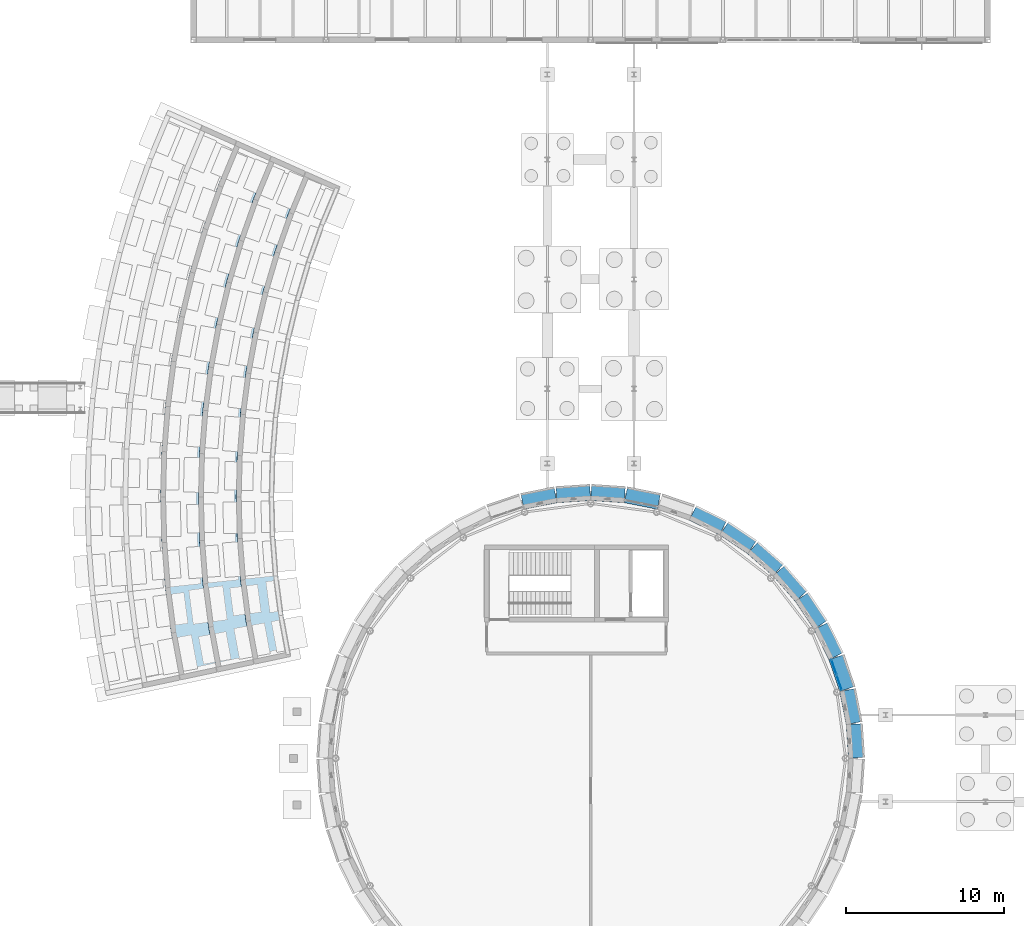
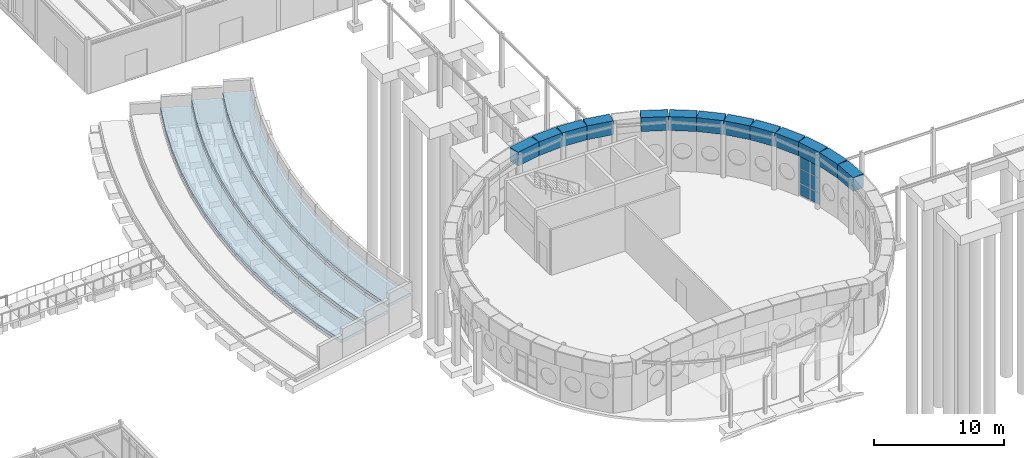
# One storey, part 75 of 109: 19 plates, 3 slabs, 1 element without a shape of its own.
"""IFC4 building model written with IfcOpenShell, lengths in metres."""

from ifc_helpers import new_model, si_unit, direction, frame, origin, origin_2d, place, context, subcontext, project, spatial, polyline, rectangle, outline, extrude, material, layer, layer_set, type_object, element, aggregate, save


model = new_model("IFC4")

# Units and contexts
model_context = context("Model", 3, precision=1e-05, world=origin(), true_north=direction((0.0, 1.0)))
body_context = subcontext(model_context, "Body", "Model", "MODEL_VIEW")
ifc_project = project(units=[si_unit("LENGTHUNIT", "METRE"), si_unit("AREAUNIT", "SQUARE_METRE"), si_unit("VOLUMEUNIT", "CUBIC_METRE"), si_unit("PLANEANGLEUNIT", "RADIAN"), si_unit("MASSUNIT", "GRAM", prefix="KILO")], contexts=[model_context])

# Site, building, storey
site_placement = place(None, origin())
site = spatial("IfcSite", under=ifc_project, at=site_placement, CompositionType="ELEMENT")
building_placement = place(site_placement, origin())
building = spatial("IfcBuilding", under=site, at=building_placement, Name="Montecoro Central Library", CompositionType="ELEMENT")
storey_placement = place(building_placement, origin())
storey = spatial("IfcBuildingStorey", under=building, at=storey_placement, Name="L00", CompositionType="ELEMENT", Elevation=0.0)

# Curtain wall, plates
ifc_material_1 = material(Name="Bronze-anodised aluminium and low-E glazing", Category="aluminium")
ifc_layer_1 = layer(ifc_material_1, 0.159912109375)
ifc_layer_set_1 = layer_set([ifc_layer_1], Name="Bronze-anodised aluminium and low-E glazing")
curtain_wall_type = type_object("IfcCurtainWallType", Name="CWT-001", PredefinedType="NOTDEFINED", material=ifc_layer_set_1)
curtain_wall_placement = place(storey_placement, origin())
curtain_wall = element("IfcCurtainWall", 1, at=curtain_wall_placement, inside=storey, type_object=curtain_wall_type, Name="V1-L00-CW-03", PredefinedType="NOTDEFINED")
ifc_material_2 = material(Name="Laminated low-E double glazing", Category="glass")
ifc_layer_2 = layer(ifc_material_2, 0.02587890625)
ifc_layer_set_2 = layer_set([ifc_layer_2], Name="Laminated low-E double glazing")
plate_type_1 = type_object("IfcPlateType", Name="CWP-GLZ-01", PredefinedType="CURTAIN_PANEL", material=ifc_layer_set_2)
plate_1_placement = place(storey_placement, frame((107.376953125, 40.205810546875, 0.06005859375), z_axis=(0.0, 0.0, 1.0), x_axis=(-0.32140092272, 0.946943212064, 0.0)))
plate_1 = element("IfcPlate", 2, at=plate_1_placement, type_object=plate_type_1, Name="CW-001 panel 1.1", PredefinedType="CURTAIN_PANEL", context=body_context, shape_type="SweptSolid", body=[
    extrude(rectangle(XDim=0.98193359375, YDim=0.02587890625, at=origin_2d()), origin(), (0.0, 0.0, 1.0), 1.06005859375),
])
plate_2_placement = place(storey_placement, frame((107.376953125, 40.205810546875, 1.18017578125), z_axis=(0.0, 0.0, 1.0), x_axis=(-0.32140092272, 0.946943212064, 0.0)))
plate_2 = element("IfcPlate", 3, at=plate_2_placement, type_object=plate_type_1, Name="CW-001 panel 1.2", PredefinedType="CURTAIN_PANEL", context=body_context, shape_type="SweptSolid", body=[
    extrude(rectangle(XDim=0.98193359375, YDim=0.02587890625, at=origin_2d()), origin(), (0.0, 0.0, 1.0), 1.340087890625),
])
plate_3_placement = place(storey_placement, frame((107.376953125, 40.205810546875, 2.580078125), z_axis=(0.0, 0.0, 1.0), x_axis=(-0.32140092272, 0.946943212064, 0.0)))
plate_3 = element("IfcPlate", 4, at=plate_3_placement, type_object=plate_type_1, Name="CW-001 panel 1.3", PredefinedType="CURTAIN_PANEL", context=body_context, shape_type="SweptSolid", body=[
    extrude(rectangle(XDim=0.98193359375, YDim=0.02587890625, at=origin_2d()), origin(), (0.0, 0.0, 1.0), 1.179931640625),
])
plate_4_placement = place(storey_placement, frame((107.0419921875, 41.1923828125, 0.06005859375), z_axis=(0.0, 0.0, 1.0), x_axis=(-0.32140092272, 0.946943212064, 0.0)))
plate_4 = element("IfcPlate", 5, at=plate_4_placement, type_object=plate_type_1, Name="CW-001 panel 2.1", PredefinedType="CURTAIN_PANEL", context=body_context, shape_type="SweptSolid", body=[
    extrude(rectangle(XDim=0.98193359375, YDim=0.02587890625, at=origin_2d()), origin(), (0.0, 0.0, 1.0), 1.06005859375),
])
plate_5_placement = place(storey_placement, frame((107.0419921875, 41.1923828125, 1.18017578125), z_axis=(0.0, 0.0, 1.0), x_axis=(-0.32140092272, 0.946943212064, 0.0)))
plate_5 = element("IfcPlate", 6, at=plate_5_placement, type_object=plate_type_1, Name="CW-001 panel 2.2", PredefinedType="CURTAIN_PANEL", context=body_context, shape_type="SweptSolid", body=[
    extrude(rectangle(XDim=0.98193359375, YDim=0.02587890625, at=origin_2d()), origin(), (0.0, 0.0, 1.0), 1.340087890625),
])
plate_6_placement = place(storey_placement, frame((107.0419921875, 41.1923828125, 2.580078125), z_axis=(0.0, 0.0, 1.0), x_axis=(-0.32140092272, 0.946943212064, 0.0)))
plate_6 = element("IfcPlate", 7, at=plate_6_placement, type_object=plate_type_1, Name="CW-001 panel 2.3", PredefinedType="CURTAIN_PANEL", context=body_context, shape_type="SweptSolid", body=[
    extrude(rectangle(XDim=0.98193359375, YDim=0.02587890625, at=origin_2d()), origin(), (0.0, 0.0, 1.0), 1.179931640625),
])
aggregate(curtain_wall, [plate_1, plate_2, plate_3, plate_4, plate_5, plate_6])

# Plates
ifc_material_3 = material(Name="Bright white Roman travertine architrave stone", Category="masonry")
ifc_layer_3 = layer(ifc_material_3, 0.949951171875)
ifc_layer_set_3 = layer_set([ifc_layer_3], Name="Bright white Roman travertine architrave stone")
plate_type_2 = type_object("IfcPlateType", Name="PLT-SPN-07", PredefinedType="SHEET", material=ifc_layer_set_3)
for number, where, z_axis, x_axis, name in (
    (8, (108.367919921875, 36.4990234375, 3.7998046875), (0.0, 0.0, 1.0), (-0.06540312923, 0.997858923239, 0.0), "White Travertine Curved Entrance Architrave Band"),
    (9, (108.0810546875, 38.677978515625, 3.7998046875), (0.0, 0.0, 1.0), (-0.195090322016, 0.980785280403, 0.0), "White Travertine Curved Entrance Architrave Band"),
):
    element("IfcPlate", number, at=place(storey_placement, frame(where, z_axis=z_axis, x_axis=x_axis)), inside=storey, type_object=plate_type_2, Name=name, PredefinedType="SHEET", context=body_context, shape_type="SweptSolid", body=[
        extrude(rectangle(XDim=2.14306640625, YDim=0.949951171875, at=origin_2d()), origin(), (0.0, 0.0, 1.0), 1.300048828125),
    ])
plate_7_placement = place(storey_placement, frame((107.511962890625, 40.802001953125, 3.7998046875), z_axis=(0.0, 0.0, 1.0), x_axis=(-0.321604730892, 0.946874013303, 0.0)))
element("IfcPlate", 10, at=plate_7_placement, inside=storey, type_object=plate_type_2, Name="White Travertine Curved Entrance Architrave Band", PredefinedType="SHEET", context=body_context, shape_type="SweptSolid", body=[
    extrude(rectangle(XDim=2.14208984375, YDim=0.949951171875, at=origin_2d()), origin(), (0.0, 0.0, 1.0), 1.300048828125),
])
for number, where, z_axis, x_axis, name in (
    (11, (106.6708984375, 42.83203125, 3.7998046875), (0.0, 0.0, 1.0), (-0.44213214966, 0.896949921811, 0.0), "White Travertine Curved Entrance Architrave Band"),
    (12, (105.572021484375, 44.736083984375, 3.7998046875), (0.0, 0.0, 1.0), (-0.55557023302, 0.831469612303, 0.0), "White Travertine Curved Entrance Architrave Band"),
):
    element("IfcPlate", number, at=place(storey_placement, frame(where, z_axis=z_axis, x_axis=x_axis)), inside=storey, type_object=plate_type_2, Name=name, PredefinedType="SHEET", context=body_context, shape_type="SweptSolid", body=[
        extrude(rectangle(XDim=2.14306640625, YDim=0.949951171875, at=origin_2d()), origin(), (0.0, 0.0, 1.0), 1.300048828125),
    ])
for number, where, z_axis, x_axis, name in (
    (13, (104.23388671875, 46.47998046875, 3.7998046875), (0.0, 0.0, 1.0), (-0.659214584257, 0.751954873581, 0.0), "White Travertine Curved Entrance Architrave Band"),
    (14, (102.679931640625, 48.033935546875, 3.7998046875), (0.0, 0.0, 1.0), (-0.751954873581, 0.659214584257, 0.0), "White Travertine Curved Entrance Architrave Band"),
):
    element("IfcPlate", number, at=place(storey_placement, frame(where, z_axis=z_axis, x_axis=x_axis)), inside=storey, type_object=plate_type_2, Name=name, PredefinedType="SHEET", context=body_context, shape_type="SweptSolid", body=[
        extrude(rectangle(XDim=2.14208984375, YDim=0.949951171875, at=origin_2d()), origin(), (0.0, 0.0, 1.0), 1.300048828125),
    ])
for number, where, z_axis, x_axis, name in (
    (15, (100.93603515625, 49.3720703125, 3.7998046875), (0.0, 0.0, 1.0), (-0.831469612303, 0.55557023302, 0.0), "White Travertine Curved Entrance Architrave Band"),
    (16, (99.031982421875, 50.470947265625, 3.7998046875), (0.0, 0.0, 1.0), (-0.896949921811, 0.44213214966, 0.0), "White Travertine Curved Entrance Architrave Band"),
    (17, (94.87890625, 51.881103515625, 3.7998046875), (0.0, 0.0, 1.0), (-0.980785280403, 0.195090322016, 0.0), "White Travertine Curved Entrance Architrave Band"),
    (18, (92.698974609375, 52.16796875, 3.7998046875), (0.0, 0.0, 1.0), (-0.997858923239, 0.06540312923, 0.0), "White Travertine Curved Entrance Architrave Band"),
    (19, (90.5009765625, 52.16796875, 3.7998046875), (0.0, 0.0, 1.0), (-0.997858923239, -0.06540312923, 0.0), "White Travertine Curved Entrance Architrave Band"),
    (20, (88.322021484375, 51.881103515625, 3.7998046875), (0.0, 0.0, 1.0), (-0.980785280403, -0.195090322016, 0.0), "White Travertine Curved Entrance Architrave Band"),
):
    element("IfcPlate", number, at=place(storey_placement, frame(where, z_axis=z_axis, x_axis=x_axis)), inside=storey, type_object=plate_type_2, Name=name, PredefinedType="SHEET", context=body_context, shape_type="SweptSolid", body=[
        extrude(rectangle(XDim=2.14306640625, YDim=0.949951171875, at=origin_2d()), origin(), (0.0, 0.0, 1.0), 1.300048828125),
    ])

# Slabs
ifc_material_4 = material(Name="Planted garden concrete C32/40", Category="concrete")
ifc_layer_4 = layer(ifc_material_4, 0.280029296875)
ifc_layer_set_4 = layer_set([ifc_layer_4], Name="Planted garden concrete C32/40")
slab_type_1 = type_object("IfcSlabType", Name="SL-BED-280", PredefinedType="BASESLAB", material=ifc_layer_set_4)
slab_1_placement = place(storey_placement, frame((0.0, 0.0, 1.340087890625)))
element("IfcSlab", 21, at=slab_1_placement, inside=storey, type_object=slab_type_1, Name="Stepped Planted Terrace Bed 3", PredefinedType="BASESLAB", context=body_context, shape_type="SweptSolid", body=[
    extrude(outline(polyline([(71.264892578125, 73.47607421875), (70.20703125, 70.922119140625), (69.283935546875, 68.31591796875), (68.4990234375, 65.666015625), (67.85400390625, 62.97802734375), (67.35009765625, 60.260009765625), (66.989013671875, 57.51904296875), (66.77197265625, 54.762939453125), (66.699951171875, 52.0), (66.77197265625, 49.237060546875), (66.989013671875, 46.48095703125), (67.35009765625, 43.739990234375), (67.85400390625, 41.02197265625), (65.506103515625, 40.52294921875), (64.97998046875, 43.364990234375), (64.60205078125, 46.22998046875), (64.3759765625, 49.111083984375), (64.300048828125, 52.0), (64.3759765625, 54.888916015625), (64.60205078125, 57.77001953125), (64.97998046875, 60.635009765625), (65.506103515625, 63.47705078125), (66.180908203125, 66.287109375), (67.001953125, 69.05810546875), (67.966064453125, 71.781982421875), (69.072021484375, 74.451904296875), (71.264892578125, 73.47607421875)])), origin(), (0.0, 0.0, 1.0), 0.280029296875),
])
slab_2_placement = place(storey_placement, frame((0.0, 0.0, 2.419921875)))
element("IfcSlab", 22, at=slab_2_placement, inside=storey, type_object=slab_type_1, Name="Stepped Planted Terrace Bed 5", PredefinedType="BASESLAB", context=body_context, shape_type="SweptSolid", body=[
    extrude(outline(polyline([(75.64990234375, 71.52294921875), (74.68798828125, 69.201904296875), (73.84912109375, 66.8330078125), (73.135986328125, 64.423095703125), (72.549072265625, 61.97998046875), (72.091064453125, 59.509033203125), (71.762939453125, 57.01708984375), (71.56591796875, 54.511962890625), (71.5, 52.0), (71.56591796875, 49.488037109375), (71.762939453125, 46.98291015625), (72.091064453125, 44.490966796875), (72.549072265625, 42.02001953125), (70.200927734375, 41.52099609375), (69.720947265625, 44.115966796875), (69.3759765625, 46.73193359375), (69.1689453125, 49.362060546875), (69.10009765625, 52.0), (69.1689453125, 54.637939453125), (69.3759765625, 57.26806640625), (69.720947265625, 59.884033203125), (70.200927734375, 62.47900390625), (70.81689453125, 65.0439453125), (71.56689453125, 67.573974609375), (72.447998046875, 70.06201171875), (73.45703125, 72.5), (75.64990234375, 71.52294921875)])), origin(), (0.0, 0.0, 1.0), 0.280029296875),
])
ifc_layer_5 = layer(ifc_material_4, 0.300048828125)
ifc_layer_set_5 = layer_set([ifc_layer_5], Name="Planted garden concrete C32/40")
slab_type_2 = type_object("IfcSlabType", Name="SL-BED-300", PredefinedType="BASESLAB", material=ifc_layer_set_5)
slab_3_placement = place(storey_placement, frame((0.0, 0.0, 1.860107421875)))
element("IfcSlab", 23, at=slab_3_placement, inside=storey, type_object=slab_type_2, Name="Stepped Planted Terrace Bed 4", PredefinedType="BASESLAB", context=body_context, shape_type="SweptSolid", body=[
    extrude(outline(polyline([(73.45703125, 72.5), (72.447998046875, 70.06201171875), (71.56689453125, 67.573974609375), (70.81689453125, 65.0439453125), (70.200927734375, 62.47900390625), (69.720947265625, 59.884033203125), (69.3759765625, 57.26806640625), (69.1689453125, 54.637939453125), (69.10009765625, 52.0), (69.1689453125, 49.362060546875), (69.3759765625, 46.73193359375), (69.720947265625, 44.115966796875), (70.200927734375, 41.52099609375), (67.85400390625, 41.02197265625), (67.35009765625, 43.739990234375), (66.989013671875, 46.48095703125), (66.77197265625, 49.237060546875), (66.699951171875, 52.0), (66.77197265625, 54.762939453125), (66.989013671875, 57.51904296875), (67.35009765625, 60.260009765625), (67.85400390625, 62.97802734375), (68.4990234375, 65.666015625), (69.283935546875, 68.31591796875), (70.20703125, 70.922119140625), (71.264892578125, 73.47607421875), (73.45703125, 72.5)])), origin(), (0.0, 0.0, 1.0), 0.2998046875),
])

save(model, "model.ifc")
